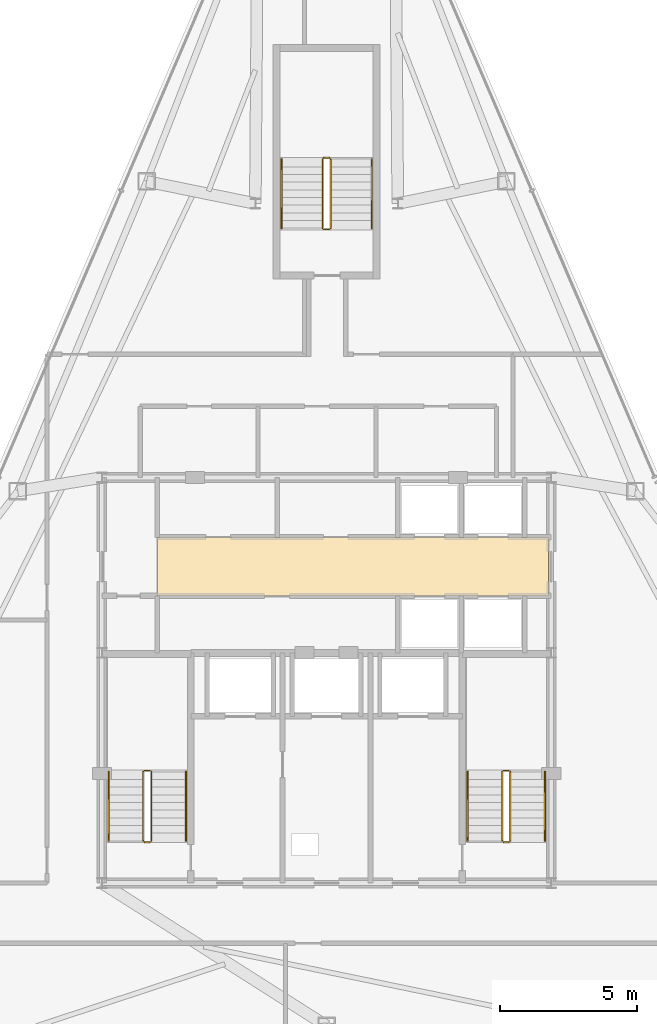
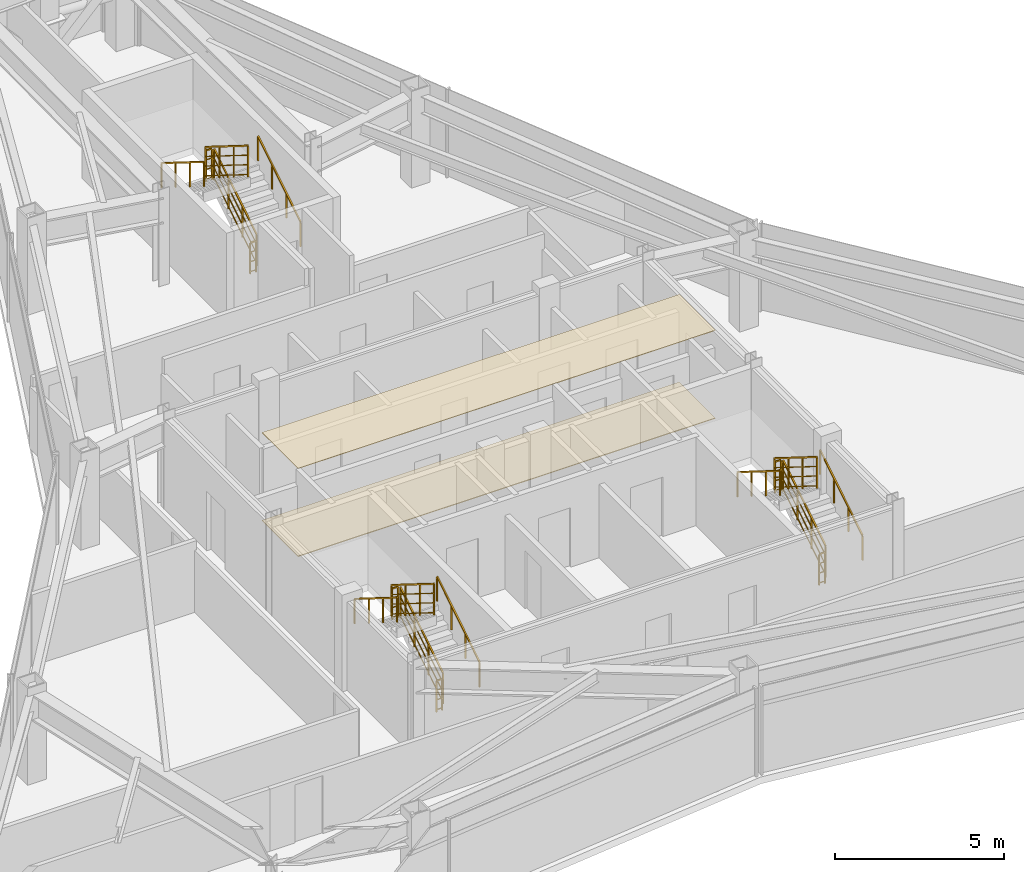
# One storey, part 12 of 12: 18 railings, 2 coverings.
"""IFC4 building model written with IfcOpenShell, lengths in metres."""

from ifc_helpers import new_model, si_unit, direction, frame, origin, origin_2d, place, context, subcontext, project, spatial, polyline, rectangle, outline, extrude, material, layer, layer_set, type_object, element, save


model = new_model("IFC4")

# Units and contexts
model_context = context("Model", 3, precision=1e-05, world=origin(), true_north=direction((0.0, 1.0)))
body_context = subcontext(model_context, "Body", "Model", "MODEL_VIEW")
ifc_project = project(units=[si_unit("LENGTHUNIT", "METRE"), si_unit("AREAUNIT", "SQUARE_METRE"), si_unit("VOLUMEUNIT", "CUBIC_METRE"), si_unit("PLANEANGLEUNIT", "RADIAN"), si_unit("MASSUNIT", "GRAM", prefix="KILO")], contexts=[model_context])

# Site, building, storey
site_placement = place(None, origin())
site = spatial("IfcSite", under=ifc_project, at=site_placement, CompositionType="ELEMENT")
building_placement = place(site_placement, origin())
building = spatial("IfcBuilding", under=site, at=building_placement, Name="Varakhsha Concourse Tower", CompositionType="ELEMENT")
storey_placement = place(building_placement, frame((0.0, 0.0, 286.5)))
storey = spatial("IfcBuildingStorey", under=building, at=storey_placement, Name="L81", CompositionType="ELEMENT", Elevation=286.5)

# Coverings
ifc_material_1 = material(Name="Mineral Fibre Acoustic Lay-In Ceiling Tile 20 mm", Category="mineral")
ifc_layer_1 = layer(ifc_material_1, 0.02001953125, Name="COV-CEIL-20")
ifc_layer_set_1 = layer_set([ifc_layer_1], Name="Mineral Fibre Acoustic Lay-In Ceiling Tile 20 mm")
covering_type_1 = type_object("IfcCoveringType", Name="COV-CEIL-20", PredefinedType="CEILING", material=ifc_layer_set_1)
covering_1_placement = place(storey_placement, frame((0.0, 0.0, 3.179931640625)))
element("IfcCovering", 1, at=covering_1_placement, inside=storey, type_object=covering_type_1, Name="L81 Lift Lobby Acoustic Ceiling", PredefinedType="CEILING", context=body_context, shape_type="SweptSolid", body=[
    extrude(outline(polyline([(33.820068359375, 26.8798828125), (48.10009765625, 26.8798828125), (48.10009765625, 29.02001953125), (33.820068359375, 29.02001953125), (33.820068359375, 26.8798828125)])), origin(), (0.0, 0.0, 1.0), 0.02001953125),
])
ifc_material_2 = material(Name="Polished Samarkand Aggregate Terrazzo Flooring 25 mm", Category="concrete")
ifc_layer_2 = layer(ifc_material_2, 0.02490234375, Name="COV-FLOOR-25")
ifc_layer_set_2 = layer_set([ifc_layer_2], Name="Polished Samarkand Aggregate Terrazzo Flooring 25 mm")
covering_type_2 = type_object("IfcCoveringType", Name="COV-FLOOR-25", PredefinedType="FLOORING", material=ifc_layer_set_2)
covering_2_placement = place(storey_placement, origin())
element("IfcCovering", 2, at=covering_2_placement, inside=storey, type_object=covering_type_2, Name="L81 Lift Lobby Terrazzo Flooring", PredefinedType="FLOORING", context=body_context, shape_type="SweptSolid", body=[
    extrude(outline(polyline([(33.820068359375, 26.8798828125), (48.10009765625, 26.8798828125), (48.10009765625, 29.02001953125), (33.820068359375, 29.02001953125), (33.820068359375, 26.8798828125)])), origin(), (0.0, 0.0, 1.0), 0.02490234375),
])

# Railings
ifc_material_3 = material(Name="Brushed Austenitic Stainless Steel AISI 316", Category="steel")
railing_type_1 = type_object("IfcRailingType", Name="RL-STAIR-GUARD-1100", PredefinedType="GUARDRAIL", material=ifc_material_3)
railing_1_placement = place(storey_placement, frame((33.610107421875, 17.93994140625, 0.175048828125)))
element("IfcRailing", 3, at=railing_1_placement, inside=storey, type_object=railing_type_1, Name="L81 ST1 stair guard 1", PredefinedType="GUARDRAIL", context=body_context, shape_type="SweptSolid", body=[
    extrude(rectangle(XDim=0.048095703125, YDim=0.048095703125, at=origin_2d()), frame((0.0, 0.0, 1.1259765625), z_axis=(0.0, 0.848007534815, 0.529984170421), x_axis=(-1.0, 0.0, 0.0)), (0.0, 0.0, 1.0), 2.9716796875),
    extrude(rectangle(XDim=0.028076171875, YDim=0.028076171875, at=origin_2d()), frame((0.0, 0.0, 0.080078125), z_axis=(0.0, 0.848007534815, 0.529984170421), x_axis=(-1.0, 0.0, 0.0)), (0.0, 0.0, 1.0), 2.9716796875),
    extrude(rectangle(XDim=0.028076171875, YDim=0.028076171875, at=origin_2d()), frame((0.0, 0.0, 0.43701171875), z_axis=(0.0, 0.848007534815, 0.529984170421), x_axis=(-1.0, 0.0, 0.0)), (0.0, 0.0, 1.0), 2.9716796875),
    extrude(rectangle(XDim=0.028076171875, YDim=0.028076171875, at=origin_2d()), frame((0.0, 0.0, 0.781982421875), z_axis=(0.0, 0.848007534815, 0.529984170421), x_axis=(-1.0, 0.0, 0.0)), (0.0, 0.0, 1.0), 2.9716796875),
    extrude(rectangle(XDim=0.0419921875, YDim=0.0419921875, at=origin_2d()), origin(), (0.0, 0.0, 1.0), 1.101806640625),
    extrude(rectangle(XDim=0.0419921875, YDim=0.0419921875, at=origin_2d()), frame((0.0, 0.840087890625, 0.52490234375)), (0.0, 0.0, 1.0), 1.101806640625),
    extrude(rectangle(XDim=0.0419921875, YDim=0.0419921875, at=origin_2d()), frame((0.0, 1.679931640625, 1.050048828125)), (0.0, 0.0, 1.0), 1.101806640625),
    extrude(rectangle(XDim=0.0419921875, YDim=0.0419921875, at=origin_2d()), frame((0.0, 2.52001953125, 1.574951171875)), (0.0, 0.0, 1.0), 1.101806640625),
])
railing_2_placement = place(storey_placement, frame((33.56005859375, 20.510009765625, 1.75)))
element("IfcRailing", 4, at=railing_2_placement, inside=storey, type_object=railing_type_1, Name="L81 ST1 stair guard 2", PredefinedType="GUARDRAIL", context=body_context, shape_type="SweptSolid", body=[
    extrude(rectangle(XDim=0.048095703125, YDim=0.048095703125, at=origin_2d()), frame((0.0, 0.0, 1.1259765625), z_axis=(-1.0, 0.0, 0.0), x_axis=(0.0, -1.0, 0.0)), (0.0, 0.0, 1.0), 0.199951171875),
    extrude(rectangle(XDim=0.028076171875, YDim=0.028076171875, at=origin_2d()), frame((0.0, 0.0, 0.080078125), z_axis=(-1.0, 0.0, 0.0), x_axis=(0.0, -1.0, 0.0)), (0.0, 0.0, 1.0), 0.199951171875),
    extrude(rectangle(XDim=0.028076171875, YDim=0.028076171875, at=origin_2d()), frame((0.0, 0.0, 0.43701171875), z_axis=(-1.0, 0.0, 0.0), x_axis=(0.0, -1.0, 0.0)), (0.0, 0.0, 1.0), 0.199951171875),
    extrude(rectangle(XDim=0.028076171875, YDim=0.028076171875, at=origin_2d()), frame((0.0, 0.0, 0.781982421875), z_axis=(-1.0, 0.0, 0.0), x_axis=(0.0, -1.0, 0.0)), (0.0, 0.0, 1.0), 0.199951171875),
    extrude(rectangle(XDim=0.0419921875, YDim=0.0419921875, at=origin_2d()), origin(), (0.0, 0.0, 1.0), 1.101806640625),
    extrude(rectangle(XDim=0.0419921875, YDim=0.0419921875, at=origin_2d()), frame((-0.199951171875, 0.0, 0.0)), (0.0, 0.0, 1.0), 1.101806640625),
])
railing_3_placement = place(storey_placement, frame((33.31005859375, 20.4599609375, 1.925048828125)))
element("IfcRailing", 5, at=railing_3_placement, inside=storey, type_object=railing_type_1, Name="L81 ST1 stair guard 3", PredefinedType="GUARDRAIL", context=body_context, shape_type="SweptSolid", body=[
    extrude(rectangle(XDim=0.048095703125, YDim=0.048095703125, at=origin_2d()), frame((0.0, 0.0, 1.1259765625), z_axis=(0.0, -0.848007534815, 0.529984170421), x_axis=(1.0, 0.0, 0.0)), (0.0, 0.0, 1.0), 2.9716796875),
    extrude(rectangle(XDim=0.028076171875, YDim=0.028076171875, at=origin_2d()), frame((0.0, 0.0, 0.080078125), z_axis=(0.0, -0.848007534815, 0.529984170421), x_axis=(1.0, 0.0, 0.0)), (0.0, 0.0, 1.0), 2.9716796875),
    extrude(rectangle(XDim=0.028076171875, YDim=0.028076171875, at=origin_2d()), frame((0.0, 0.0, 0.43701171875), z_axis=(0.0, -0.848007534815, 0.529984170421), x_axis=(1.0, 0.0, 0.0)), (0.0, 0.0, 1.0), 2.9716796875),
    extrude(rectangle(XDim=0.028076171875, YDim=0.028076171875, at=origin_2d()), frame((0.0, 0.0, 0.781982421875), z_axis=(0.0, -0.848007534815, 0.529984170421), x_axis=(1.0, 0.0, 0.0)), (0.0, 0.0, 1.0), 2.9716796875),
    extrude(rectangle(XDim=0.0419921875, YDim=0.0419921875, at=origin_2d()), origin(), (0.0, 0.0, 1.0), 1.101806640625),
    extrude(rectangle(XDim=0.0419921875, YDim=0.0419921875, at=origin_2d()), frame((0.0, -0.840087890625, 0.52490234375)), (0.0, 0.0, 1.0), 1.101806640625),
    extrude(rectangle(XDim=0.0419921875, YDim=0.0419921875, at=origin_2d()), frame((0.0, -1.679931640625, 1.050048828125)), (0.0, 0.0, 1.0), 1.101806640625),
    extrude(rectangle(XDim=0.0419921875, YDim=0.0419921875, at=origin_2d()), frame((0.0, -2.52001953125, 1.574951171875)), (0.0, 0.0, 1.0), 1.101806640625),
])
railing_4_placement = place(storey_placement, frame((33.56005859375, 17.889892578125, 0.0)))
element("IfcRailing", 6, at=railing_4_placement, inside=storey, type_object=railing_type_1, Name="L81 ST1 stair guard 4", PredefinedType="GUARDRAIL", context=body_context, shape_type="SweptSolid", body=[
    extrude(rectangle(XDim=0.048095703125, YDim=0.048095703125, at=origin_2d()), frame((0.0, 0.0, 1.1259765625), z_axis=(-1.0, 0.0, 0.0), x_axis=(0.0, -1.0, 0.0)), (0.0, 0.0, 1.0), 0.199951171875),
    extrude(rectangle(XDim=0.028076171875, YDim=0.028076171875, at=origin_2d()), frame((0.0, 0.0, 0.080078125), z_axis=(-1.0, 0.0, 0.0), x_axis=(0.0, -1.0, 0.0)), (0.0, 0.0, 1.0), 0.199951171875),
    extrude(rectangle(XDim=0.028076171875, YDim=0.028076171875, at=origin_2d()), frame((0.0, 0.0, 0.43701171875), z_axis=(-1.0, 0.0, 0.0), x_axis=(0.0, -1.0, 0.0)), (0.0, 0.0, 1.0), 0.199951171875),
    extrude(rectangle(XDim=0.028076171875, YDim=0.028076171875, at=origin_2d()), frame((0.0, 0.0, 0.781982421875), z_axis=(-1.0, 0.0, 0.0), x_axis=(0.0, -1.0, 0.0)), (0.0, 0.0, 1.0), 0.199951171875),
    extrude(rectangle(XDim=0.0419921875, YDim=0.0419921875, at=origin_2d()), origin(), (0.0, 0.0, 1.0), 1.101806640625),
    extrude(rectangle(XDim=0.0419921875, YDim=0.0419921875, at=origin_2d()), frame((-0.199951171875, 0.0, 0.0)), (0.0, 0.0, 1.0), 1.101806640625),
])
railing_5_placement = place(storey_placement, frame((46.7099609375, 17.93994140625, 0.175048828125)))
element("IfcRailing", 7, at=railing_5_placement, inside=storey, type_object=railing_type_1, Name="L81 ST2 stair guard 1", PredefinedType="GUARDRAIL", context=body_context, shape_type="SweptSolid", body=[
    extrude(rectangle(XDim=0.048095703125, YDim=0.048095703125, at=origin_2d()), frame((0.0, 0.0, 1.1259765625), z_axis=(0.0, 0.848007534815, 0.529984170421), x_axis=(-1.0, 0.0, 0.0)), (0.0, 0.0, 1.0), 2.9716796875),
    extrude(rectangle(XDim=0.028076171875, YDim=0.028076171875, at=origin_2d()), frame((0.0, 0.0, 0.080078125), z_axis=(0.0, 0.848007534815, 0.529984170421), x_axis=(-1.0, 0.0, 0.0)), (0.0, 0.0, 1.0), 2.9716796875),
    extrude(rectangle(XDim=0.028076171875, YDim=0.028076171875, at=origin_2d()), frame((0.0, 0.0, 0.43701171875), z_axis=(0.0, 0.848007534815, 0.529984170421), x_axis=(-1.0, 0.0, 0.0)), (0.0, 0.0, 1.0), 2.9716796875),
    extrude(rectangle(XDim=0.028076171875, YDim=0.028076171875, at=origin_2d()), frame((0.0, 0.0, 0.781982421875), z_axis=(0.0, 0.848007534815, 0.529984170421), x_axis=(-1.0, 0.0, 0.0)), (0.0, 0.0, 1.0), 2.9716796875),
    extrude(rectangle(XDim=0.0419921875, YDim=0.0419921875, at=origin_2d()), origin(), (0.0, 0.0, 1.0), 1.101806640625),
    extrude(rectangle(XDim=0.0419921875, YDim=0.0419921875, at=origin_2d()), frame((0.0, 0.840087890625, 0.52490234375)), (0.0, 0.0, 1.0), 1.101806640625),
    extrude(rectangle(XDim=0.0419921875, YDim=0.0419921875, at=origin_2d()), frame((0.0, 1.679931640625, 1.050048828125)), (0.0, 0.0, 1.0), 1.101806640625),
    extrude(rectangle(XDim=0.0419921875, YDim=0.0419921875, at=origin_2d()), frame((0.0, 2.52001953125, 1.574951171875)), (0.0, 0.0, 1.0), 1.101806640625),
])
railing_6_placement = place(storey_placement, frame((46.659912109375, 20.510009765625, 1.75)))
element("IfcRailing", 8, at=railing_6_placement, inside=storey, type_object=railing_type_1, Name="L81 ST2 stair guard 2", PredefinedType="GUARDRAIL", context=body_context, shape_type="SweptSolid", body=[
    extrude(rectangle(XDim=0.048095703125, YDim=0.048095703125, at=origin_2d()), frame((0.0, 0.0, 1.1259765625), z_axis=(-1.0, 0.0, 0.0), x_axis=(0.0, -1.0, 0.0)), (0.0, 0.0, 1.0), 0.199951171875),
    extrude(rectangle(XDim=0.028076171875, YDim=0.028076171875, at=origin_2d()), frame((0.0, 0.0, 0.080078125), z_axis=(-1.0, 0.0, 0.0), x_axis=(0.0, -1.0, 0.0)), (0.0, 0.0, 1.0), 0.199951171875),
    extrude(rectangle(XDim=0.028076171875, YDim=0.028076171875, at=origin_2d()), frame((0.0, 0.0, 0.43701171875), z_axis=(-1.0, 0.0, 0.0), x_axis=(0.0, -1.0, 0.0)), (0.0, 0.0, 1.0), 0.199951171875),
    extrude(rectangle(XDim=0.028076171875, YDim=0.028076171875, at=origin_2d()), frame((0.0, 0.0, 0.781982421875), z_axis=(-1.0, 0.0, 0.0), x_axis=(0.0, -1.0, 0.0)), (0.0, 0.0, 1.0), 0.199951171875),
    extrude(rectangle(XDim=0.0419921875, YDim=0.0419921875, at=origin_2d()), origin(), (0.0, 0.0, 1.0), 1.101806640625),
    extrude(rectangle(XDim=0.0419921875, YDim=0.0419921875, at=origin_2d()), frame((-0.199951171875, 0.0, 0.0)), (0.0, 0.0, 1.0), 1.101806640625),
])
railing_7_placement = place(storey_placement, frame((46.409912109375, 20.4599609375, 1.925048828125)))
element("IfcRailing", 9, at=railing_7_placement, inside=storey, type_object=railing_type_1, Name="L81 ST2 stair guard 3", PredefinedType="GUARDRAIL", context=body_context, shape_type="SweptSolid", body=[
    extrude(rectangle(XDim=0.048095703125, YDim=0.048095703125, at=origin_2d()), frame((0.0, 0.0, 1.1259765625), z_axis=(0.0, -0.848007534815, 0.529984170421), x_axis=(1.0, 0.0, 0.0)), (0.0, 0.0, 1.0), 2.9716796875),
    extrude(rectangle(XDim=0.028076171875, YDim=0.028076171875, at=origin_2d()), frame((0.0, 0.0, 0.080078125), z_axis=(0.0, -0.848007534815, 0.529984170421), x_axis=(1.0, 0.0, 0.0)), (0.0, 0.0, 1.0), 2.9716796875),
    extrude(rectangle(XDim=0.028076171875, YDim=0.028076171875, at=origin_2d()), frame((0.0, 0.0, 0.43701171875), z_axis=(0.0, -0.848007534815, 0.529984170421), x_axis=(1.0, 0.0, 0.0)), (0.0, 0.0, 1.0), 2.9716796875),
    extrude(rectangle(XDim=0.028076171875, YDim=0.028076171875, at=origin_2d()), frame((0.0, 0.0, 0.781982421875), z_axis=(0.0, -0.848007534815, 0.529984170421), x_axis=(1.0, 0.0, 0.0)), (0.0, 0.0, 1.0), 2.9716796875),
    extrude(rectangle(XDim=0.0419921875, YDim=0.0419921875, at=origin_2d()), origin(), (0.0, 0.0, 1.0), 1.101806640625),
    extrude(rectangle(XDim=0.0419921875, YDim=0.0419921875, at=origin_2d()), frame((0.0, -0.840087890625, 0.52490234375)), (0.0, 0.0, 1.0), 1.101806640625),
    extrude(rectangle(XDim=0.0419921875, YDim=0.0419921875, at=origin_2d()), frame((0.0, -1.679931640625, 1.050048828125)), (0.0, 0.0, 1.0), 1.101806640625),
    extrude(rectangle(XDim=0.0419921875, YDim=0.0419921875, at=origin_2d()), frame((0.0, -2.52001953125, 1.574951171875)), (0.0, 0.0, 1.0), 1.101806640625),
])
railing_8_placement = place(storey_placement, frame((46.659912109375, 17.889892578125, 0.0)))
element("IfcRailing", 10, at=railing_8_placement, inside=storey, type_object=railing_type_1, Name="L81 ST2 stair guard 4", PredefinedType="GUARDRAIL", context=body_context, shape_type="SweptSolid", body=[
    extrude(rectangle(XDim=0.048095703125, YDim=0.048095703125, at=origin_2d()), frame((0.0, 0.0, 1.1259765625), z_axis=(-1.0, 0.0, 0.0), x_axis=(0.0, -1.0, 0.0)), (0.0, 0.0, 1.0), 0.199951171875),
    extrude(rectangle(XDim=0.028076171875, YDim=0.028076171875, at=origin_2d()), frame((0.0, 0.0, 0.080078125), z_axis=(-1.0, 0.0, 0.0), x_axis=(0.0, -1.0, 0.0)), (0.0, 0.0, 1.0), 0.199951171875),
    extrude(rectangle(XDim=0.028076171875, YDim=0.028076171875, at=origin_2d()), frame((0.0, 0.0, 0.43701171875), z_axis=(-1.0, 0.0, 0.0), x_axis=(0.0, -1.0, 0.0)), (0.0, 0.0, 1.0), 0.199951171875),
    extrude(rectangle(XDim=0.028076171875, YDim=0.028076171875, at=origin_2d()), frame((0.0, 0.0, 0.781982421875), z_axis=(-1.0, 0.0, 0.0), x_axis=(0.0, -1.0, 0.0)), (0.0, 0.0, 1.0), 0.199951171875),
    extrude(rectangle(XDim=0.0419921875, YDim=0.0419921875, at=origin_2d()), origin(), (0.0, 0.0, 1.0), 1.101806640625),
    extrude(rectangle(XDim=0.0419921875, YDim=0.0419921875, at=origin_2d()), frame((-0.199951171875, 0.0, 0.0)), (0.0, 0.0, 1.0), 1.101806640625),
])
railing_9_placement = place(storey_placement, frame((40.14990234375, 40.300048828125, 0.175048828125)))
element("IfcRailing", 11, at=railing_9_placement, inside=storey, type_object=railing_type_1, Name="L81 ST5 stair guard 1", PredefinedType="GUARDRAIL", context=body_context, shape_type="SweptSolid", body=[
    extrude(rectangle(XDim=0.048095703125, YDim=0.048095703125, at=origin_2d()), frame((0.0, 0.0, 1.1259765625), z_axis=(0.0, 0.848007534815, 0.529984170421), x_axis=(-1.0, 0.0, 0.0)), (0.0, 0.0, 1.0), 2.9716796875),
    extrude(rectangle(XDim=0.028076171875, YDim=0.028076171875, at=origin_2d()), frame((0.0, 0.0, 0.080078125), z_axis=(0.0, 0.848007534815, 0.529984170421), x_axis=(-1.0, 0.0, 0.0)), (0.0, 0.0, 1.0), 2.9716796875),
    extrude(rectangle(XDim=0.028076171875, YDim=0.028076171875, at=origin_2d()), frame((0.0, 0.0, 0.43701171875), z_axis=(0.0, 0.848007534815, 0.529984170421), x_axis=(-1.0, 0.0, 0.0)), (0.0, 0.0, 1.0), 2.9716796875),
    extrude(rectangle(XDim=0.028076171875, YDim=0.028076171875, at=origin_2d()), frame((0.0, 0.0, 0.781982421875), z_axis=(0.0, 0.848007534815, 0.529984170421), x_axis=(-1.0, 0.0, 0.0)), (0.0, 0.0, 1.0), 2.9716796875),
    extrude(rectangle(XDim=0.0419921875, YDim=0.0419921875, at=origin_2d()), origin(), (0.0, 0.0, 1.0), 1.101806640625),
    extrude(rectangle(XDim=0.0419921875, YDim=0.0419921875, at=origin_2d()), frame((0.0, 0.840087890625, 0.52490234375)), (0.0, 0.0, 1.0), 1.101806640625),
    extrude(rectangle(XDim=0.0419921875, YDim=0.0419921875, at=origin_2d()), frame((0.0, 1.679931640625, 1.050048828125)), (0.0, 0.0, 1.0), 1.101806640625),
    extrude(rectangle(XDim=0.0419921875, YDim=0.0419921875, at=origin_2d()), frame((0.0, 2.52001953125, 1.574951171875)), (0.0, 0.0, 1.0), 1.101806640625),
])
railing_10_placement = place(storey_placement, frame((40.10009765625, 42.8701171875, 1.75)))
element("IfcRailing", 12, at=railing_10_placement, inside=storey, type_object=railing_type_1, Name="L81 ST5 stair guard 2", PredefinedType="GUARDRAIL", context=body_context, shape_type="SweptSolid", body=[
    extrude(rectangle(XDim=0.048095703125, YDim=0.048095703125, at=origin_2d()), frame((0.0, 0.0, 1.1259765625), z_axis=(-1.0, 0.0, 0.0), x_axis=(0.0, -1.0, 0.0)), (0.0, 0.0, 1.0), 0.2001953125),
    extrude(rectangle(XDim=0.028076171875, YDim=0.028076171875, at=origin_2d()), frame((0.0, 0.0, 0.080078125), z_axis=(-1.0, 0.0, 0.0), x_axis=(0.0, -1.0, 0.0)), (0.0, 0.0, 1.0), 0.2001953125),
    extrude(rectangle(XDim=0.028076171875, YDim=0.028076171875, at=origin_2d()), frame((0.0, 0.0, 0.43701171875), z_axis=(-1.0, 0.0, 0.0), x_axis=(0.0, -1.0, 0.0)), (0.0, 0.0, 1.0), 0.2001953125),
    extrude(rectangle(XDim=0.028076171875, YDim=0.028076171875, at=origin_2d()), frame((0.0, 0.0, 0.781982421875), z_axis=(-1.0, 0.0, 0.0), x_axis=(0.0, -1.0, 0.0)), (0.0, 0.0, 1.0), 0.2001953125),
    extrude(rectangle(XDim=0.0419921875, YDim=0.0419921875, at=origin_2d()), origin(), (0.0, 0.0, 1.0), 1.101806640625),
    extrude(rectangle(XDim=0.0419921875, YDim=0.0419921875, at=origin_2d()), frame((-0.2001953125, 0.0, 0.0)), (0.0, 0.0, 1.0), 1.101806640625),
])
railing_11_placement = place(storey_placement, frame((39.85009765625, 42.820068359375, 1.925048828125)))
element("IfcRailing", 13, at=railing_11_placement, inside=storey, type_object=railing_type_1, Name="L81 ST5 stair guard 3", PredefinedType="GUARDRAIL", context=body_context, shape_type="SweptSolid", body=[
    extrude(rectangle(XDim=0.048095703125, YDim=0.048095703125, at=origin_2d()), frame((0.0, 0.0, 1.1259765625), z_axis=(0.0, -0.848007534815, 0.529984170421), x_axis=(1.0, 0.0, 0.0)), (0.0, 0.0, 1.0), 2.9716796875),
    extrude(rectangle(XDim=0.028076171875, YDim=0.028076171875, at=origin_2d()), frame((0.0, 0.0, 0.080078125), z_axis=(0.0, -0.848007534815, 0.529984170421), x_axis=(1.0, 0.0, 0.0)), (0.0, 0.0, 1.0), 2.9716796875),
    extrude(rectangle(XDim=0.028076171875, YDim=0.028076171875, at=origin_2d()), frame((0.0, 0.0, 0.43701171875), z_axis=(0.0, -0.848007534815, 0.529984170421), x_axis=(1.0, 0.0, 0.0)), (0.0, 0.0, 1.0), 2.9716796875),
    extrude(rectangle(XDim=0.028076171875, YDim=0.028076171875, at=origin_2d()), frame((0.0, 0.0, 0.781982421875), z_axis=(0.0, -0.848007534815, 0.529984170421), x_axis=(1.0, 0.0, 0.0)), (0.0, 0.0, 1.0), 2.9716796875),
    extrude(rectangle(XDim=0.0419921875, YDim=0.0419921875, at=origin_2d()), origin(), (0.0, 0.0, 1.0), 1.101806640625),
    extrude(rectangle(XDim=0.0419921875, YDim=0.0419921875, at=origin_2d()), frame((0.0, -0.840087890625, 0.52490234375)), (0.0, 0.0, 1.0), 1.101806640625),
    extrude(rectangle(XDim=0.0419921875, YDim=0.0419921875, at=origin_2d()), frame((0.0, -1.679931640625, 1.050048828125)), (0.0, 0.0, 1.0), 1.101806640625),
    extrude(rectangle(XDim=0.0419921875, YDim=0.0419921875, at=origin_2d()), frame((0.0, -2.52001953125, 1.574951171875)), (0.0, 0.0, 1.0), 1.101806640625),
])
railing_12_placement = place(storey_placement, frame((40.10009765625, 40.25, 0.0)))
element("IfcRailing", 14, at=railing_12_placement, inside=storey, type_object=railing_type_1, Name="L81 ST5 stair guard 4", PredefinedType="GUARDRAIL", context=body_context, shape_type="SweptSolid", body=[
    extrude(rectangle(XDim=0.048095703125, YDim=0.048095703125, at=origin_2d()), frame((0.0, 0.0, 1.1259765625), z_axis=(-1.0, 0.0, 0.0), x_axis=(0.0, -1.0, 0.0)), (0.0, 0.0, 1.0), 0.2001953125),
    extrude(rectangle(XDim=0.028076171875, YDim=0.028076171875, at=origin_2d()), frame((0.0, 0.0, 0.080078125), z_axis=(-1.0, 0.0, 0.0), x_axis=(0.0, -1.0, 0.0)), (0.0, 0.0, 1.0), 0.2001953125),
    extrude(rectangle(XDim=0.028076171875, YDim=0.028076171875, at=origin_2d()), frame((0.0, 0.0, 0.43701171875), z_axis=(-1.0, 0.0, 0.0), x_axis=(0.0, -1.0, 0.0)), (0.0, 0.0, 1.0), 0.2001953125),
    extrude(rectangle(XDim=0.028076171875, YDim=0.028076171875, at=origin_2d()), frame((0.0, 0.0, 0.781982421875), z_axis=(-1.0, 0.0, 0.0), x_axis=(0.0, -1.0, 0.0)), (0.0, 0.0, 1.0), 0.2001953125),
    extrude(rectangle(XDim=0.0419921875, YDim=0.0419921875, at=origin_2d()), origin(), (0.0, 0.0, 1.0), 1.101806640625),
    extrude(rectangle(XDim=0.0419921875, YDim=0.0419921875, at=origin_2d()), frame((-0.2001953125, 0.0, 0.0)), (0.0, 0.0, 1.0), 1.101806640625),
])
railing_type_2 = type_object("IfcRailingType", Name="RL-STAIR-RAIL-915", PredefinedType="HANDRAIL", material=ifc_material_3)
railing_13_placement = place(storey_placement, frame((34.8701171875, 17.93994140625, 0.35009765625)))
element("IfcRailing", 15, at=railing_13_placement, inside=storey, type_object=railing_type_2, Name="L81 ST1 stair handrail 1", PredefinedType="HANDRAIL", context=body_context, shape_type="SweptSolid", body=[
    extrude(rectangle(XDim=0.048095703125, YDim=0.048095703125, at=origin_2d()), frame((0.0, 0.0, 0.89111328125), z_axis=(0.0, 0.848007534815, 0.529984170421), x_axis=(-1.0, 0.0, 0.0)), (0.0, 0.0, 1.0), 2.9716796875),
    extrude(rectangle(XDim=0.0419921875, YDim=0.0419921875, at=origin_2d()), origin(), (0.0, 0.0, 1.0), 0.866943359375),
    extrude(rectangle(XDim=0.0419921875, YDim=0.0419921875, at=origin_2d()), frame((0.0, 0.840087890625, 0.52490234375)), (0.0, 0.0, 1.0), 0.866943359375),
    extrude(rectangle(XDim=0.0419921875, YDim=0.0419921875, at=origin_2d()), frame((0.0, 1.679931640625, 1.050048828125)), (0.0, 0.0, 1.0), 0.866943359375),
    extrude(rectangle(XDim=0.0419921875, YDim=0.0419921875, at=origin_2d()), frame((0.0, 2.52001953125, 1.574951171875)), (0.0, 0.0, 1.0), 0.866943359375),
])
railing_14_placement = place(storey_placement, frame((32.050048828125, 20.4599609375, 2.10009765625)))
element("IfcRailing", 16, at=railing_14_placement, inside=storey, type_object=railing_type_2, Name="L81 ST1 stair handrail 2", PredefinedType="HANDRAIL", context=body_context, shape_type="SweptSolid", body=[
    extrude(rectangle(XDim=0.048095703125, YDim=0.048095703125, at=origin_2d()), frame((0.0, 0.0, 0.89111328125), z_axis=(0.0, -0.848007534815, 0.529984170421), x_axis=(1.0, 0.0, 0.0)), (0.0, 0.0, 1.0), 2.9716796875),
    extrude(rectangle(XDim=0.0419921875, YDim=0.0419921875, at=origin_2d()), origin(), (0.0, 0.0, 1.0), 0.866943359375),
    extrude(rectangle(XDim=0.0419921875, YDim=0.0419921875, at=origin_2d()), frame((0.0, -0.840087890625, 0.52490234375)), (0.0, 0.0, 1.0), 0.866943359375),
    extrude(rectangle(XDim=0.0419921875, YDim=0.0419921875, at=origin_2d()), frame((0.0, -1.679931640625, 1.050048828125)), (0.0, 0.0, 1.0), 0.866943359375),
    extrude(rectangle(XDim=0.0419921875, YDim=0.0419921875, at=origin_2d()), frame((0.0, -2.52001953125, 1.574951171875)), (0.0, 0.0, 1.0), 0.866943359375),
])
railing_15_placement = place(storey_placement, frame((47.969970703125, 17.93994140625, 0.35009765625)))
element("IfcRailing", 17, at=railing_15_placement, inside=storey, type_object=railing_type_2, Name="L81 ST2 stair handrail 1", PredefinedType="HANDRAIL", context=body_context, shape_type="SweptSolid", body=[
    extrude(rectangle(XDim=0.048095703125, YDim=0.048095703125, at=origin_2d()), frame((0.0, 0.0, 0.89111328125), z_axis=(0.0, 0.848007534815, 0.529984170421), x_axis=(-1.0, 0.0, 0.0)), (0.0, 0.0, 1.0), 2.9716796875),
    extrude(rectangle(XDim=0.0419921875, YDim=0.0419921875, at=origin_2d()), origin(), (0.0, 0.0, 1.0), 0.866943359375),
    extrude(rectangle(XDim=0.0419921875, YDim=0.0419921875, at=origin_2d()), frame((0.0, 0.840087890625, 0.52490234375)), (0.0, 0.0, 1.0), 0.866943359375),
    extrude(rectangle(XDim=0.0419921875, YDim=0.0419921875, at=origin_2d()), frame((0.0, 1.679931640625, 1.050048828125)), (0.0, 0.0, 1.0), 0.866943359375),
    extrude(rectangle(XDim=0.0419921875, YDim=0.0419921875, at=origin_2d()), frame((0.0, 2.52001953125, 1.574951171875)), (0.0, 0.0, 1.0), 0.866943359375),
])
railing_16_placement = place(storey_placement, frame((45.14990234375, 20.4599609375, 2.10009765625)))
element("IfcRailing", 18, at=railing_16_placement, inside=storey, type_object=railing_type_2, Name="L81 ST2 stair handrail 2", PredefinedType="HANDRAIL", context=body_context, shape_type="SweptSolid", body=[
    extrude(rectangle(XDim=0.048095703125, YDim=0.048095703125, at=origin_2d()), frame((0.0, 0.0, 0.89111328125), z_axis=(0.0, -0.848007534815, 0.529984170421), x_axis=(1.0, 0.0, 0.0)), (0.0, 0.0, 1.0), 2.9716796875),
    extrude(rectangle(XDim=0.0419921875, YDim=0.0419921875, at=origin_2d()), origin(), (0.0, 0.0, 1.0), 0.866943359375),
    extrude(rectangle(XDim=0.0419921875, YDim=0.0419921875, at=origin_2d()), frame((0.0, -0.840087890625, 0.52490234375)), (0.0, 0.0, 1.0), 0.866943359375),
    extrude(rectangle(XDim=0.0419921875, YDim=0.0419921875, at=origin_2d()), frame((0.0, -1.679931640625, 1.050048828125)), (0.0, 0.0, 1.0), 0.866943359375),
    extrude(rectangle(XDim=0.0419921875, YDim=0.0419921875, at=origin_2d()), frame((0.0, -2.52001953125, 1.574951171875)), (0.0, 0.0, 1.0), 0.866943359375),
])
railing_17_placement = place(storey_placement, frame((41.64990234375, 40.300048828125, 0.35009765625)))
element("IfcRailing", 19, at=railing_17_placement, inside=storey, type_object=railing_type_2, Name="L81 ST5 stair handrail 1", PredefinedType="HANDRAIL", context=body_context, shape_type="SweptSolid", body=[
    extrude(rectangle(XDim=0.048095703125, YDim=0.048095703125, at=origin_2d()), frame((0.0, 0.0, 0.89111328125), z_axis=(0.0, 0.848007534815, 0.529984170421), x_axis=(-1.0, 0.0, 0.0)), (0.0, 0.0, 1.0), 2.9716796875),
    extrude(rectangle(XDim=0.0419921875, YDim=0.0419921875, at=origin_2d()), origin(), (0.0, 0.0, 1.0), 0.866943359375),
    extrude(rectangle(XDim=0.0419921875, YDim=0.0419921875, at=origin_2d()), frame((0.0, 0.840087890625, 0.52490234375)), (0.0, 0.0, 1.0), 0.866943359375),
    extrude(rectangle(XDim=0.0419921875, YDim=0.0419921875, at=origin_2d()), frame((0.0, 1.679931640625, 1.050048828125)), (0.0, 0.0, 1.0), 0.866943359375),
    extrude(rectangle(XDim=0.0419921875, YDim=0.0419921875, at=origin_2d()), frame((0.0, 2.52001953125, 1.574951171875)), (0.0, 0.0, 1.0), 0.866943359375),
])
railing_18_placement = place(storey_placement, frame((38.35009765625, 42.820068359375, 2.10009765625)))
element("IfcRailing", 20, at=railing_18_placement, inside=storey, type_object=railing_type_2, Name="L81 ST5 stair handrail 2", PredefinedType="HANDRAIL", context=body_context, shape_type="SweptSolid", body=[
    extrude(rectangle(XDim=0.048095703125, YDim=0.048095703125, at=origin_2d()), frame((0.0, 0.0, 0.89111328125), z_axis=(0.0, -0.848007534815, 0.529984170421), x_axis=(1.0, 0.0, 0.0)), (0.0, 0.0, 1.0), 2.9716796875),
    extrude(rectangle(XDim=0.0419921875, YDim=0.0419921875, at=origin_2d()), origin(), (0.0, 0.0, 1.0), 0.866943359375),
    extrude(rectangle(XDim=0.0419921875, YDim=0.0419921875, at=origin_2d()), frame((0.0, -0.840087890625, 0.52490234375)), (0.0, 0.0, 1.0), 0.866943359375),
    extrude(rectangle(XDim=0.0419921875, YDim=0.0419921875, at=origin_2d()), frame((0.0, -1.679931640625, 1.050048828125)), (0.0, 0.0, 1.0), 0.866943359375),
    extrude(rectangle(XDim=0.0419921875, YDim=0.0419921875, at=origin_2d()), frame((0.0, -2.52001953125, 1.574951171875)), (0.0, 0.0, 1.0), 0.866943359375),
])

save(model, "model.ifc")
